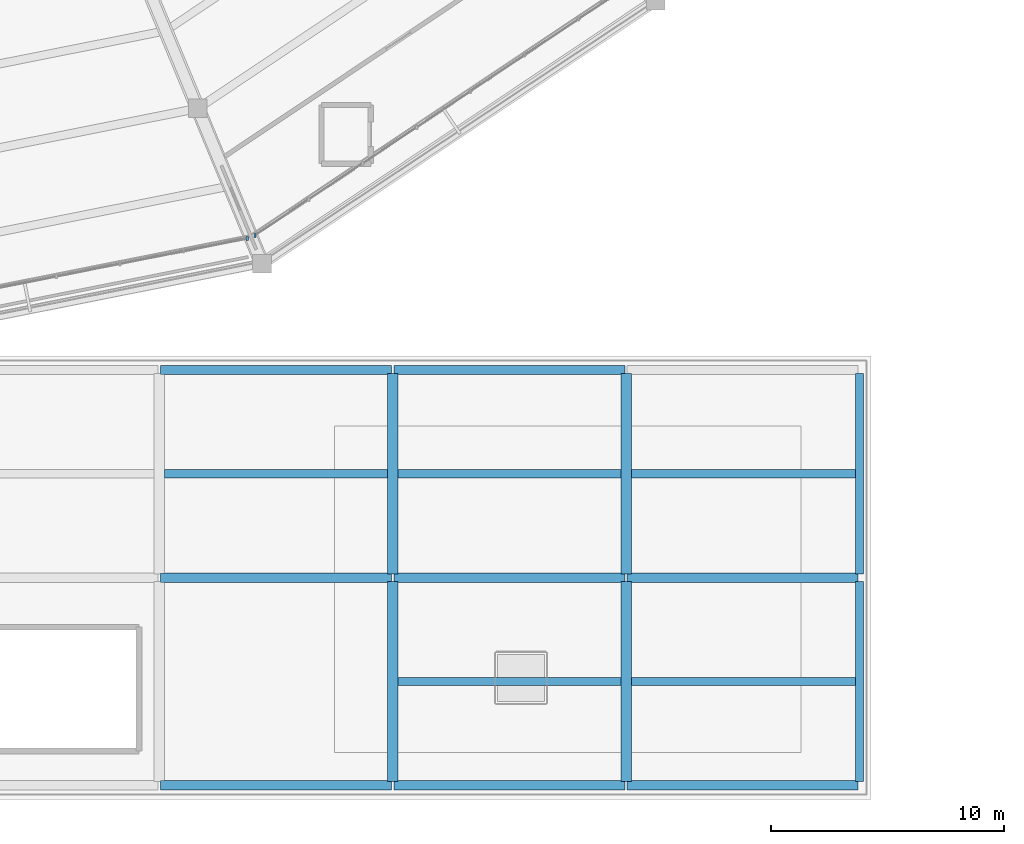
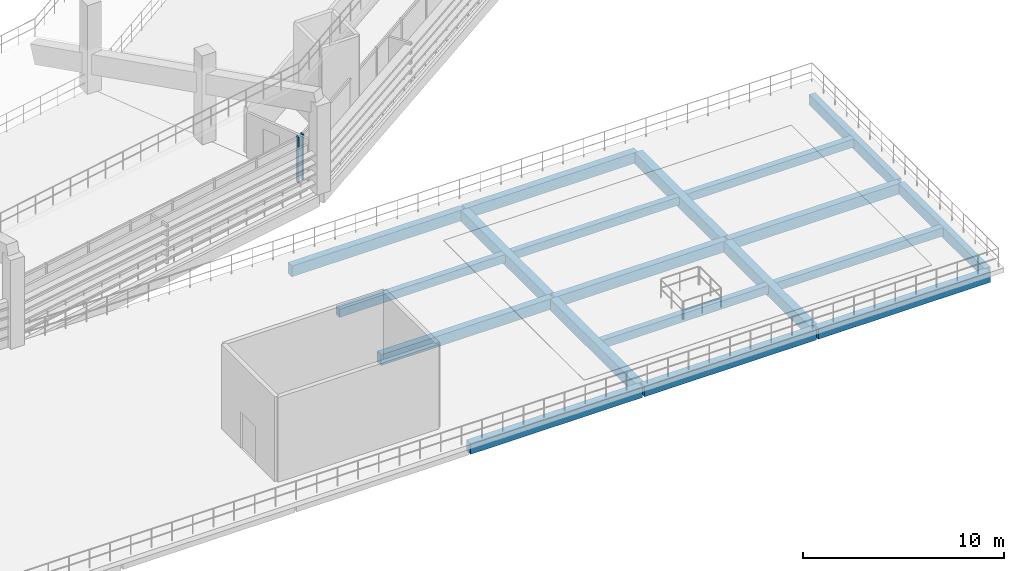
# One storey, part 28 of 96: 19 beams, 2 members, 2 elements without a shape of their own.
"""IFC4 building model written with IfcOpenShell, lengths in metres."""

from ifc_helpers import new_model, si_unit, direction, frame, origin, origin_2d, place, context, subcontext, project, spatial, rectangle, extrude, material, material_profile, profile_set, type_object, element, aggregate, save


model = new_model("IFC4")

# Units and contexts
model_context = context("Model", 3, precision=1e-05, world=origin(), true_north=direction((0.0, 1.0)))
body_context = subcontext(model_context, "Body", "Model", "MODEL_VIEW")
ifc_project = project(units=[si_unit("LENGTHUNIT", "METRE"), si_unit("AREAUNIT", "SQUARE_METRE"), si_unit("VOLUMEUNIT", "CUBIC_METRE"), si_unit("PLANEANGLEUNIT", "RADIAN"), si_unit("MASSUNIT", "GRAM", prefix="KILO")], contexts=[model_context])

# Site, building, storey
site_placement = place(None, origin())
site = spatial("IfcSite", under=ifc_project, at=site_placement, CompositionType="ELEMENT")
building_placement = place(site_placement, origin())
building = spatial("IfcBuilding", under=site, at=building_placement, Name="Candeia Ridge Stadium", CompositionType="ELEMENT")
storey_placement = place(building_placement, frame((0.0, 0.0, 21.60009765625)))
storey = spatial("IfcBuildingStorey", under=building, at=storey_placement, Name="L04", CompositionType="ELEMENT", Elevation=21.60009765625)

# Curtain wall, member
ifc_material_1 = material(Name="Aluminium Anodized Warm Bronze", Category="aluminium")
curtain_wall_type = type_object("IfcCurtainWallType", Name="Concourse Recessed Unitised Curtain Wall", PredefinedType="NOTDEFINED", material=ifc_material_1)
curtain_wall_1_placement = place(storey_placement, origin())
curtain_wall_1 = element("IfcCurtainWall", 1, at=curtain_wall_1_placement, inside=storey, type_object=curtain_wall_type, Name="Unitised curtain wall CW-BWL-L04-25", PredefinedType="NOTDEFINED")
ifc_material_profile_1 = material_profile(ifc_material_1, rectangle(XDim=0.090087890625, YDim=0.179931640625, at=origin_2d()), Name="CWM-90x180", Category="aluminium")
ifc_profile_set_1 = profile_set([ifc_material_profile_1], Name="Aluminium Anodized Warm Bronze")
member_type = type_object("IfcMemberType", Name="Curtain Wall Primary Mullion 90x180", PredefinedType="MULLION", material=ifc_profile_set_1)
member_1_placement = place(storey_placement, frame((160.263916015625, 24.03173828125, 0.0), z_axis=(0.0, 0.0, 1.0), x_axis=(1.0, 0.0, 0.0)))
member_1 = element("IfcMember", 2, at=member_1_placement, type_object=member_type, Name="Curtain wall mullion CW-BWL-L04-25-M7", PredefinedType="MULLION", context=body_context, shape_type="SweptSolid", body=[
    extrude(rectangle(XDim=0.090087890625, YDim=0.179931640625, at=origin_2d()), origin(), (0.0, 0.0, 1.0), 2.772216796875),
])
aggregate(curtain_wall_1, [member_1])

curtain_wall_2_placement = place(storey_placement, origin())
curtain_wall_2 = element("IfcCurtainWall", 3, at=curtain_wall_2_placement, inside=storey, type_object=curtain_wall_type, Name="Unitised curtain wall CW-BWL-L04-26", PredefinedType="NOTDEFINED")
member_2_placement = place(storey_placement, frame((160.590087890625, 24.1669921875, 0.0), z_axis=(0.0, 0.0, 1.0), x_axis=(1.0, 0.0, 0.0)))
member_2 = element("IfcMember", 4, at=member_2_placement, type_object=member_type, Name="Curtain wall mullion CW-BWL-L04-26-M0", PredefinedType="MULLION", context=body_context, shape_type="SweptSolid", body=[
    extrude(rectangle(XDim=0.090087890625, YDim=0.179931640625, at=origin_2d()), origin(), (0.0, 0.0, 1.0), 2.772216796875),
])
aggregate(curtain_wall_2, [member_2])

# Beams
ifc_material_2 = material(Name="Concrete C40/50", Category="concrete")
ifc_material_profile_2 = material_profile(ifc_material_2, rectangle(XDim=0.35009765625, YDim=0.5, at=origin_2d()), Name="RC350x500", Category="concrete")
ifc_profile_set_2 = profile_set([ifc_material_profile_2], Name="Concrete C40/50")
beam_type_1 = type_object("IfcBeamType", Name="Floor Joist RC350x500", PredefinedType="JOIST", material=ifc_profile_set_2)
for number, where, z_axis, x_axis, name in (
    (5, (156.724609375, 13.949951171875, -0.530029296875), (1.0, 0.0, 0.0), (0.0, 1.0, 0.0), "Wing secondary joist BM-L04-2516"),
    (6, (166.724609375, 5.050048828125, -0.530029296875), (1.0, 0.0, 0.0), (0.0, 1.0, 0.0), "Wing secondary joist BM-L04-2519"),
    (7, (166.724609375, 13.949951171875, -0.530029296875), (1.0, 0.0, 0.0), (0.0, 1.0, 0.0), "Wing secondary joist BM-L04-2521"),
):
    element("IfcBeam", number, at=place(storey_placement, frame(where, z_axis=z_axis, x_axis=x_axis)), inside=storey, type_object=beam_type_1, Name=name, PredefinedType="JOIST", context=body_context, shape_type="SweptSolid", body=[
        extrude(rectangle(XDim=0.35009765625, YDim=0.5, at=origin_2d()), origin(), (0.0, 0.0, 1.0), 9.55078125),
    ])
for number, where, z_axis, x_axis, name in (
    (8, (176.724609375, 5.050048828125, -0.530029296875), (1.0, 0.0, 0.0), (0.0, 1.0, 0.0), "Wing secondary joist BM-L04-2524"),
    (9, (176.724609375, 13.949951171875, -0.530029296875), (1.0, 0.0, 0.0), (0.0, 1.0, 0.0), "Wing secondary joist BM-L04-2526"),
):
    element("IfcBeam", number, at=place(storey_placement, frame(where, z_axis=z_axis, x_axis=x_axis)), inside=storey, type_object=beam_type_1, Name=name, PredefinedType="JOIST", context=body_context, shape_type="SweptSolid", body=[
        extrude(rectangle(XDim=0.35009765625, YDim=0.5, at=origin_2d()), origin(), (0.0, 0.0, 1.0), 9.600830078125),
    ])
ifc_material_profile_3 = material_profile(ifc_material_2, rectangle(XDim=0.449951171875, YDim=0.699951171875, at=origin_2d()), Name="RC450x700", Category="concrete")
ifc_profile_set_3 = profile_set([ifc_material_profile_3], Name="Concrete C40/50")
beam_type_2 = type_object("IfcBeamType", Name="Frame Girder RC450x700", PredefinedType="BEAM", material=ifc_profile_set_3)
for number, where, z_axis, x_axis, name in (
    (10, (166.5, 0.760009765625, -0.630126953125), (0.0, 1.0, 0.0), (-1.0, 0.0, 0.0), "Structural girder BM-L04-2495"),
    (11, (166.5, 9.659912109375, -0.630126953125), (0.0, 1.0, 0.0), (-1.0, 0.0, 0.0), "Structural girder BM-L04-2496"),
    (12, (176.5, 0.760009765625, -0.630126953125), (0.0, 1.0, 0.0), (-1.0, 0.0, 0.0), "Structural girder BM-L04-2497"),
    (13, (176.5, 9.659912109375, -0.630126953125), (0.0, 1.0, 0.0), (-1.0, 0.0, 0.0), "Structural girder BM-L04-2498"),
):
    element("IfcBeam", number, at=place(storey_placement, frame(where, z_axis=z_axis, x_axis=x_axis)), inside=storey, type_object=beam_type_2, Name=name, PredefinedType="BEAM", context=body_context, shape_type="SweptSolid", body=[
        extrude(rectangle(XDim=0.449951171875, YDim=0.699951171875, at=origin_2d()), origin(), (0.0, 0.0, 1.0), 8.580078125),
    ])
ifc_material_profile_4 = material_profile(ifc_material_2, rectangle(XDim=0.35009765625, YDim=0.64990234375, at=origin_2d()), Name="RC350x650", Category="concrete")
ifc_profile_set_4 = profile_set([ifc_material_profile_4], Name="Concrete C40/50")
beam_type_3 = type_object("IfcBeamType", Name="Spandrel Beam RC350x650", PredefinedType="SPANDREL", material=ifc_profile_set_4)
for number, where, z_axis, x_axis, name in (
    (14, (186.5, 0.760009765625, -0.60498046875), (0.0, 1.0, 0.0), (-1.0, 0.0, 0.0), "Structural girder BM-L04-2499"),
    (15, (186.5, 9.659912109375, -0.60498046875), (0.0, 1.0, 0.0), (-1.0, 0.0, 0.0), "Structural girder BM-L04-2500"),
):
    element("IfcBeam", number, at=place(storey_placement, frame(where, z_axis=z_axis, x_axis=x_axis)), inside=storey, type_object=beam_type_3, Name=name, PredefinedType="SPANDREL", context=body_context, shape_type="SweptSolid", body=[
        extrude(rectangle(XDim=0.35009765625, YDim=0.64990234375, at=origin_2d()), origin(), (0.0, 0.0, 1.0), 8.580078125),
    ])
ifc_material_profile_5 = material_profile(ifc_material_2, rectangle(XDim=0.39990234375, YDim=0.64990234375, at=origin_2d()), Name="RC400x650", Category="concrete")
ifc_profile_set_5 = profile_set([ifc_material_profile_5], Name="Concrete C40/50")
beam_type_4 = type_object("IfcBeamType", Name="Wing Primary Girder RC400x650", PredefinedType="BEAM", material=ifc_profile_set_5)
for number, where, z_axis, x_axis, name in (
    (16, (156.550048828125, 0.60009765625, -0.60498046875), (1.0, 0.0, 0.0), (0.0, 1.0, 0.0), "Structural girder BM-L04-2514"),
    (17, (156.550048828125, 9.5, -0.60498046875), (1.0, 0.0, 0.0), (0.0, 1.0, 0.0), "Structural girder BM-L04-2515"),
    (18, (156.550048828125, 18.39990234375, -0.60498046875), (1.0, 0.0, 0.0), (0.0, 1.0, 0.0), "Structural girder BM-L04-2517"),
    (19, (166.550048828125, 0.60009765625, -0.60498046875), (1.0, 0.0, 0.0), (0.0, 1.0, 0.0), "Structural girder BM-L04-2518"),
    (20, (166.550048828125, 9.5, -0.60498046875), (1.0, 0.0, 0.0), (0.0, 1.0, 0.0), "Structural girder BM-L04-2520"),
    (21, (166.550048828125, 18.39990234375, -0.60498046875), (1.0, 0.0, 0.0), (0.0, 1.0, 0.0), "Structural girder BM-L04-2522"),
    (22, (176.550048828125, 0.60009765625, -0.60498046875), (1.0, 0.0, 0.0), (0.0, 1.0, 0.0), "Structural girder BM-L04-2523"),
    (23, (176.550048828125, 9.5, -0.60498046875), (1.0, 0.0, 0.0), (0.0, 1.0, 0.0), "Structural girder BM-L04-2525"),
):
    element("IfcBeam", number, at=place(storey_placement, frame(where, z_axis=z_axis, x_axis=x_axis)), inside=storey, type_object=beam_type_4, Name=name, PredefinedType="BEAM", context=body_context, shape_type="SweptSolid", body=[
        extrude(rectangle(XDim=0.39990234375, YDim=0.64990234375, at=origin_2d()), origin(), (0.0, 0.0, 1.0), 9.89990234375),
    ])

save(model, "model.ifc")
